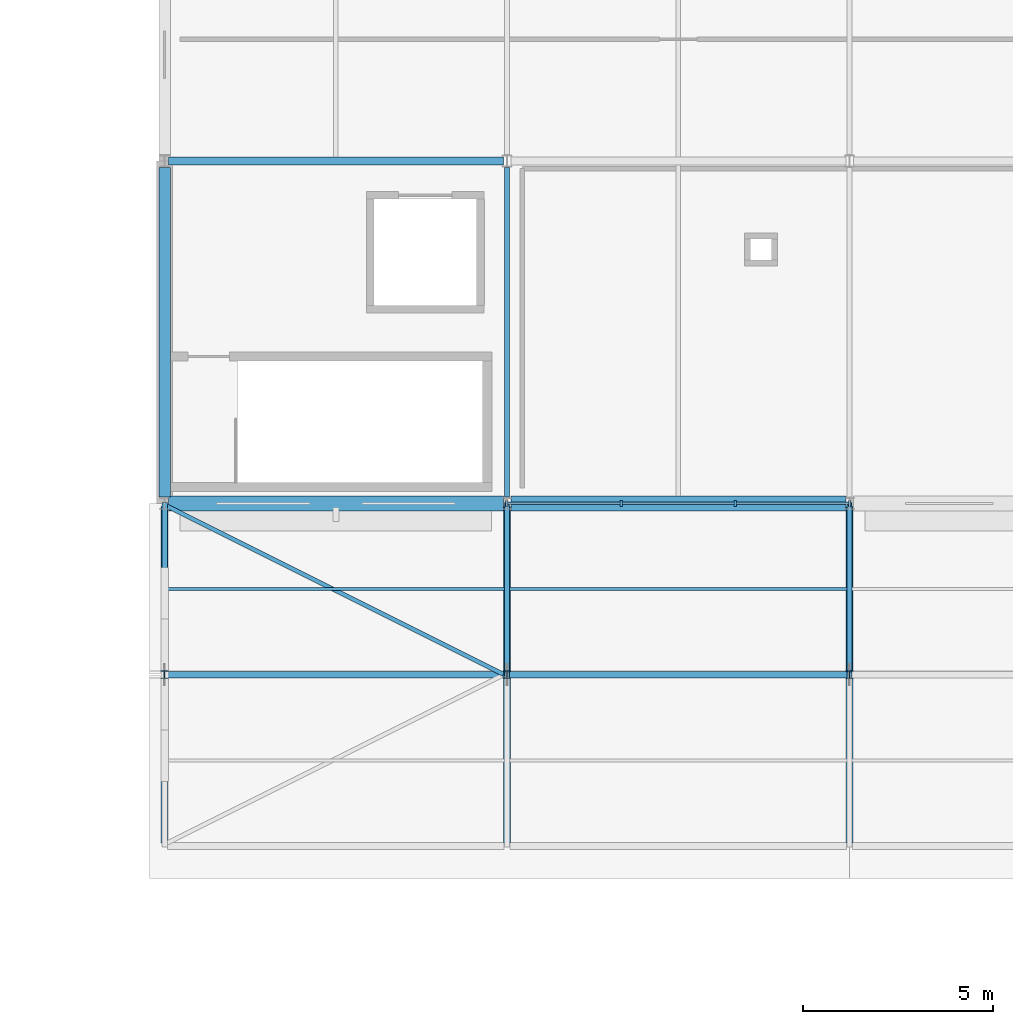
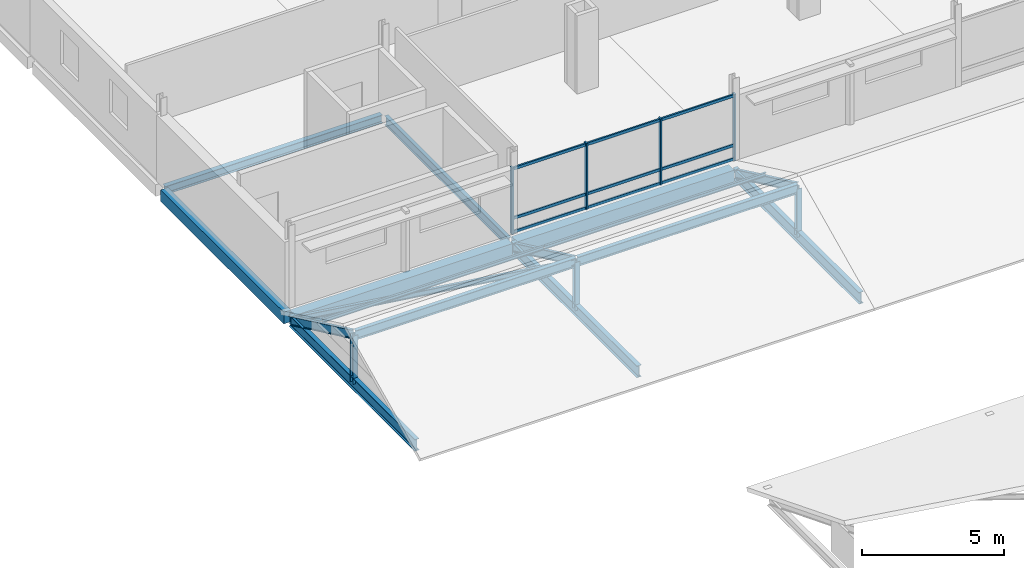
# One storey, part 71 of 132: 24 members, 8 beams, 1 element without a shape of its own.
"""IFC4 building model written with IfcOpenShell, lengths in metres."""

from ifc_helpers import new_model, si_unit, direction, frame, origin, origin_2d, place, context, subcontext, project, spatial, rectangle, i_section, extrude, material, material_profile, profile_set, type_object, element, aggregate, save


model = new_model("IFC4")

# Units and contexts
model_context = context("Model", 3, precision=1e-05, world=origin(), true_north=direction((0.0, 1.0)))
body_context = subcontext(model_context, "Body", "Model", "MODEL_VIEW")
ifc_project = project(units=[si_unit("LENGTHUNIT", "METRE"), si_unit("AREAUNIT", "SQUARE_METRE"), si_unit("VOLUMEUNIT", "CUBIC_METRE"), si_unit("PLANEANGLEUNIT", "RADIAN"), si_unit("MASSUNIT", "GRAM", prefix="KILO")], contexts=[model_context])

# Site, building, storey
site_placement = place(None, origin())
site = spatial("IfcSite", under=ifc_project, at=site_placement, CompositionType="ELEMENT")
building_placement = place(site_placement, origin())
building = spatial("IfcBuilding", under=site, at=building_placement, Name="Tharagai Park Tramway Depot", CompositionType="ELEMENT")
storey_placement = place(building_placement, frame((0.0, 0.0, 4.800048828125)))
storey = spatial("IfcBuildingStorey", under=building, at=storey_placement, Name="L01", CompositionType="ELEMENT", Elevation=4.800048828125)

# Beams
ifc_material_1 = material(Name="Steel E350", Category="steel")
ifc_material_profile_1 = material_profile(ifc_material_1, i_section(OverallWidth=0.139892578125, OverallDepth=0.39990234375, WebThickness=0.0087890625, FlangeThickness=0.01611328125, FilletRadius=0.013916015625, at=origin_2d()), Name="ISMB 400")
ifc_profile_set_1 = profile_set([ifc_material_profile_1], Name="Steel E350")
beam_type_1 = type_object("IfcBeamType", Name="BM-06", PredefinedType="BEAM", material=ifc_profile_set_1)
beam_1_placement = place(storey_placement, frame((171.0, 99.175048828125, -0.47998046875), z_axis=(0.0, 1.0, 0.0), x_axis=(-1.0, 0.0, 0.0)))
element("IfcBeam", 1, at=beam_1_placement, inside=storey, type_object=beam_type_1, Name="L01 Grid Beam BM-06", PredefinedType="BEAM", context=body_context, shape_type="SweptSolid", body=[
    extrude(i_section(OverallWidth=0.139892578125, OverallDepth=0.39990234375, WebThickness=0.0087890625, FlangeThickness=0.01611328125, FilletRadius=0.013916015625, at=origin_2d()), origin(), (0.0, 0.0, 1.0), 8.64990234375),
])
ifc_material_profile_2 = material_profile(ifc_material_1, i_section(OverallWidth=0.199951171875, OverallDepth=0.35009765625, WebThickness=0.008056640625, FlangeThickness=0.011474609375, FilletRadius=0.011962890625, at=origin_2d()), Name="ISWB 350")
ifc_profile_set_2 = profile_set([ifc_material_profile_2], Name="Steel E350")
beam_type_2 = type_object("IfcBeamType", Name="BM-15", PredefinedType="BEAM", material=ifc_profile_set_2)
beam_2_placement = place(storey_placement, frame((162.10009765625, 108.0, -0.455078125), z_axis=(1.0, 0.0, 0.0), x_axis=(0.0, 1.0, 0.0)))
element("IfcBeam", 2, at=beam_2_placement, inside=storey, type_object=beam_type_2, Name="L01 Grid Beam BM-15", PredefinedType="BEAM", context=body_context, shape_type="SweptSolid", body=[
    extrude(i_section(OverallWidth=0.199951171875, OverallDepth=0.35009765625, WebThickness=0.008056640625, FlangeThickness=0.011474609375, FilletRadius=0.011962890625, at=origin_2d()), origin(), (0.0, 0.0, 1.0), 8.7998046875),
])
ifc_material_profile_3 = material_profile(ifc_material_1, i_section(OverallWidth=0.179931640625, OverallDepth=0.5, WebThickness=0.01025390625, FlangeThickness=0.01708984375, FilletRadius=0.01708984375, at=origin_2d()), Name="ISMB 500")
ifc_profile_set_3 = profile_set([ifc_material_profile_3], Name="Steel E350")
beam_type_3 = type_object("IfcBeamType", Name="BM-18", PredefinedType="BEAM", material=ifc_profile_set_3)
for number, where, z_axis, x_axis, name in (
    (3, (162.0, 90.080078125, -0.5), (0.0, 1.0, 0.0), (-1.0, 0.0, 0.0), "V3A Gable Tie Girder BM-18"),
    (4, (171.0, 90.080078125, -0.5), (0.0, 1.0, 0.0), (-1.0, 0.0, 0.0), "V3A Gable Tie Girder BM-18"),
    (5, (180.0, 90.080078125, -0.5), (0.0, 1.0, 0.0), (-1.0, 0.0, 0.0), "V3A Gable Tie Girder BM-18"),
):
    element("IfcBeam", number, at=place(storey_placement, frame(where, z_axis=z_axis, x_axis=x_axis)), inside=storey, type_object=beam_type_3, Name=name, PredefinedType="BEAM", context=body_context, shape_type="SweptSolid", body=[
        extrude(i_section(OverallWidth=0.179931640625, OverallDepth=0.5, WebThickness=0.01025390625, FlangeThickness=0.01708984375, FilletRadius=0.01708984375, at=origin_2d()), origin(), (0.0, 0.0, 1.0), 8.83984375),
    ])

# Members
ifc_material_profile_4 = material_profile(ifc_material_1, i_section(OverallWidth=0.110107421875, OverallDepth=0.22509765625, WebThickness=0.006591796875, FlangeThickness=0.01171875, FilletRadius=0.011962890625, at=origin_2d()), Name="ISMB 225")
ifc_profile_set_4 = profile_set([ifc_material_profile_4], Name="Steel E350")
member_type_1 = type_object("IfcMemberType", Name="BR-04", PredefinedType="BRACE", material=ifc_profile_set_4)
member_1_placement = place(storey_placement, frame((162.080078125, 98.919921875, -0.5), z_axis=(0.875948084723, -0.437974042362, 0.202221885777), x_axis=(0.4472135955, 0.894427191, 0.0)))
element("IfcMember", 6, at=member_1_placement, inside=storey, type_object=member_type_1, Name="V3A Roof Wind Brace BR-04", PredefinedType="BRACE", context=body_context, shape_type="SweptSolid", body=[
    extrude(i_section(OverallWidth=0.110107421875, OverallDepth=0.22509765625, WebThickness=0.006591796875, FlangeThickness=0.01171875, FilletRadius=0.011962890625, at=origin_2d()), origin(), (0.0, 0.0, 1.0), 10.091796875),
])
ifc_material_profile_5 = material_profile(ifc_material_1, i_section(OverallWidth=0.199951171875, OverallDepth=0.199951171875, WebThickness=0.0078125, FlangeThickness=0.009033203125, FilletRadius=0.009033203125, at=origin_2d()), Name="ISHB 200")
ifc_profile_set_5 = profile_set([ifc_material_profile_5], Name="Steel E350")
member_type_2 = type_object("IfcMemberType", Name="BR-10", PredefinedType="BRACE", material=ifc_profile_set_5)
for number, where, z_axis, x_axis, name in (
    (7, (162.0, 94.5, -0.5), (0.0, 0.0, 1.0), (1.0, 0.0, 0.0), "V3A Gable King Strut BR-10"),
    (8, (171.0, 94.5, -0.5), (0.0, 0.0, 1.0), (1.0, 0.0, 0.0), "V3A Gable King Strut BR-10"),
    (9, (180.0, 94.5, -0.5), (0.0, 0.0, 1.0), (1.0, 0.0, 0.0), "V3A Gable King Strut BR-10"),
):
    element("IfcMember", number, at=place(storey_placement, frame(where, z_axis=z_axis, x_axis=x_axis)), inside=storey, type_object=member_type_2, Name=name, PredefinedType="BRACE", context=body_context, shape_type="SweptSolid", body=[
        extrude(i_section(OverallWidth=0.199951171875, OverallDepth=0.199951171875, WebThickness=0.0078125, FlangeThickness=0.009033203125, FilletRadius=0.009033203125, at=origin_2d()), origin(), (0.0, 0.0, 1.0), 2.065673828125),
    ])

# Curtain wall, members
ifc_material_2 = material(Name="Anodised aluminium", Category="aluminium")
curtain_wall_type = type_object("IfcCurtainWallType", Name="CW-01", PredefinedType="NOTDEFINED", material=ifc_material_2)
curtain_wall_placement = place(storey_placement, origin())
curtain_wall = element("IfcCurtainWall", 10, at=curtain_wall_placement, inside=storey, type_object=curtain_wall_type, Name="L01 V3 Gothic Mullioned Curtain Wall CW-01", PredefinedType="NOTDEFINED")
ifc_material_profile_6 = material_profile(ifc_material_2, rectangle(XDim=0.06494140625, YDim=0.1201171875, at=origin_2d()), Name="ALU 65x120")
ifc_profile_set_6 = profile_set([ifc_material_profile_6], Name="Anodised aluminium")
member_type_3 = type_object("IfcMemberType", Name="CM-01", PredefinedType="USERDEFINED", material=ifc_profile_set_6)
member_2_placement = place(storey_placement, frame((171.010986328125, 99.0, 0.06005859375), z_axis=(1.0, 0.0, 0.0), x_axis=(0.0, 1.0, 0.0)))
member_2 = element("IfcMember", 11, at=member_2_placement, type_object=member_type_3, Name="L01 V3 Gothic Mullioned Curtain Wall Transom 1.1", ObjectType="TRANSOM", PredefinedType="USERDEFINED", context=body_context, shape_type="SweptSolid", body=[
    extrude(rectangle(XDim=0.06494140625, YDim=0.1201171875, at=origin_2d()), origin(), (0.0, 0.0, 1.0), 2.97265625),
])
member_3_placement = place(storey_placement, frame((171.010986328125, 99.0, 0.64990234375), z_axis=(1.0, 0.0, 0.0), x_axis=(0.0, 1.0, 0.0)))
member_3 = element("IfcMember", 12, at=member_3_placement, type_object=member_type_3, Name="L01 V3 Gothic Mullioned Curtain Wall Transom 1.2", ObjectType="TRANSOM", PredefinedType="USERDEFINED", context=body_context, shape_type="SweptSolid", body=[
    extrude(rectangle(XDim=0.06494140625, YDim=0.1201171875, at=origin_2d()), origin(), (0.0, 0.0, 1.0), 2.97265625),
])
member_4_placement = place(storey_placement, frame((171.010986328125, 99.0, 2.77001953125), z_axis=(1.0, 0.0, 0.0), x_axis=(0.0, 1.0, 0.0)))
member_4 = element("IfcMember", 13, at=member_4_placement, type_object=member_type_3, Name="L01 V3 Gothic Mullioned Curtain Wall Transom 1.3", ObjectType="TRANSOM", PredefinedType="USERDEFINED", context=body_context, shape_type="SweptSolid", body=[
    extrude(rectangle(XDim=0.06494140625, YDim=0.1201171875, at=origin_2d()), origin(), (0.0, 0.0, 1.0), 2.97265625),
])
member_5_placement = place(storey_placement, frame((174.013671875, 99.0, 0.06005859375), z_axis=(1.0, 0.0, 0.0), x_axis=(0.0, 1.0, 0.0)))
member_5 = element("IfcMember", 14, at=member_5_placement, type_object=member_type_3, Name="L01 V3 Gothic Mullioned Curtain Wall Transom 2.1", ObjectType="TRANSOM", PredefinedType="USERDEFINED", context=body_context, shape_type="SweptSolid", body=[
    extrude(rectangle(XDim=0.06494140625, YDim=0.1201171875, at=origin_2d()), origin(), (0.0, 0.0, 1.0), 2.97265625),
])
member_6_placement = place(storey_placement, frame((174.013671875, 99.0, 0.64990234375), z_axis=(1.0, 0.0, 0.0), x_axis=(0.0, 1.0, 0.0)))
member_6 = element("IfcMember", 15, at=member_6_placement, type_object=member_type_3, Name="L01 V3 Gothic Mullioned Curtain Wall Transom 2.2", ObjectType="TRANSOM", PredefinedType="USERDEFINED", context=body_context, shape_type="SweptSolid", body=[
    extrude(rectangle(XDim=0.06494140625, YDim=0.1201171875, at=origin_2d()), origin(), (0.0, 0.0, 1.0), 2.97265625),
])
member_7_placement = place(storey_placement, frame((174.013671875, 99.0, 2.77001953125), z_axis=(1.0, 0.0, 0.0), x_axis=(0.0, 1.0, 0.0)))
member_7 = element("IfcMember", 16, at=member_7_placement, type_object=member_type_3, Name="L01 V3 Gothic Mullioned Curtain Wall Transom 2.3", ObjectType="TRANSOM", PredefinedType="USERDEFINED", context=body_context, shape_type="SweptSolid", body=[
    extrude(rectangle(XDim=0.06494140625, YDim=0.1201171875, at=origin_2d()), origin(), (0.0, 0.0, 1.0), 2.97265625),
])
member_8_placement = place(storey_placement, frame((177.016357421875, 99.0, 0.06005859375), z_axis=(1.0, 0.0, 0.0), x_axis=(0.0, 1.0, 0.0)))
member_8 = element("IfcMember", 17, at=member_8_placement, type_object=member_type_3, Name="L01 V3 Gothic Mullioned Curtain Wall Transom 3.1", ObjectType="TRANSOM", PredefinedType="USERDEFINED", context=body_context, shape_type="SweptSolid", body=[
    extrude(rectangle(XDim=0.06494140625, YDim=0.1201171875, at=origin_2d()), origin(), (0.0, 0.0, 1.0), 2.97265625),
])
member_9_placement = place(storey_placement, frame((177.016357421875, 99.0, 0.64990234375), z_axis=(1.0, 0.0, 0.0), x_axis=(0.0, 1.0, 0.0)))
member_9 = element("IfcMember", 18, at=member_9_placement, type_object=member_type_3, Name="L01 V3 Gothic Mullioned Curtain Wall Transom 3.2", ObjectType="TRANSOM", PredefinedType="USERDEFINED", context=body_context, shape_type="SweptSolid", body=[
    extrude(rectangle(XDim=0.06494140625, YDim=0.1201171875, at=origin_2d()), origin(), (0.0, 0.0, 1.0), 2.97265625),
])
member_10_placement = place(storey_placement, frame((177.016357421875, 99.0, 2.77001953125), z_axis=(1.0, 0.0, 0.0), x_axis=(0.0, 1.0, 0.0)))
member_10 = element("IfcMember", 19, at=member_10_placement, type_object=member_type_3, Name="L01 V3 Gothic Mullioned Curtain Wall Transom 3.3", ObjectType="TRANSOM", PredefinedType="USERDEFINED", context=body_context, shape_type="SweptSolid", body=[
    extrude(rectangle(XDim=0.06494140625, YDim=0.1201171875, at=origin_2d()), origin(), (0.0, 0.0, 1.0), 2.97265625),
])
ifc_material_profile_7 = material_profile(ifc_material_2, rectangle(XDim=0.06494140625, YDim=0.14990234375, at=origin_2d()), Name="ALU 65x150")
ifc_profile_set_7 = profile_set([ifc_material_profile_7], Name="Anodised aluminium")
member_type_4 = type_object("IfcMemberType", Name="CM-03", PredefinedType="MULLION", material=ifc_profile_set_7)
member_11_placement = place(storey_placement, frame((170.99609375, 99.0, -0.005126953125), z_axis=(0.0, 0.0, 1.0), x_axis=(1.0, 0.0, 0.0)))
member_11 = element("IfcMember", 20, at=member_11_placement, type_object=member_type_4, Name="L01 V3 Gothic Mullioned Curtain Wall Mullion 1", PredefinedType="MULLION", context=body_context, shape_type="SweptSolid", body=[
    extrude(rectangle(XDim=0.06494140625, YDim=0.14990234375, at=origin_2d()), origin(), (0.0, 0.0, 1.0), 2.860107421875),
])
member_12_placement = place(storey_placement, frame((173.998779296875, 99.0, -0.005126953125), z_axis=(0.0, 0.0, 1.0), x_axis=(1.0, 0.0, 0.0)))
member_12 = element("IfcMember", 21, at=member_12_placement, type_object=member_type_4, Name="L01 V3 Gothic Mullioned Curtain Wall Mullion 2", PredefinedType="MULLION", context=body_context, shape_type="SweptSolid", body=[
    extrude(rectangle(XDim=0.06494140625, YDim=0.14990234375, at=origin_2d()), origin(), (0.0, 0.0, 1.0), 2.860107421875),
])
member_13_placement = place(storey_placement, frame((177.001220703125, 99.0, -0.005126953125), z_axis=(0.0, 0.0, 1.0), x_axis=(1.0, 0.0, 0.0)))
member_13 = element("IfcMember", 22, at=member_13_placement, type_object=member_type_4, Name="L01 V3 Gothic Mullioned Curtain Wall Mullion 3", PredefinedType="MULLION", context=body_context, shape_type="SweptSolid", body=[
    extrude(rectangle(XDim=0.06494140625, YDim=0.14990234375, at=origin_2d()), origin(), (0.0, 0.0, 1.0), 2.860107421875),
])
member_14_placement = place(storey_placement, frame((180.00390625, 99.0, -0.005126953125), z_axis=(0.0, 0.0, 1.0), x_axis=(1.0, 0.0, 0.0)))
member_14 = element("IfcMember", 23, at=member_14_placement, type_object=member_type_4, Name="L01 V3 Gothic Mullioned Curtain Wall Mullion 4", PredefinedType="MULLION", context=body_context, shape_type="SweptSolid", body=[
    extrude(rectangle(XDim=0.06494140625, YDim=0.14990234375, at=origin_2d()), origin(), (0.0, 0.0, 1.0), 2.860107421875),
])
aggregate(curtain_wall, [member_11, member_12, member_13, member_14, member_2, member_3, member_4, member_5, member_6, member_7, member_8, member_9, member_10])

# Members
ifc_material_3 = material(Name="Steel E250", Category="steel")
ifc_material_profile_8 = material_profile(ifc_material_3, i_section(OverallWidth=0.080078125, OverallDepth=0.14990234375, WebThickness=0.0048828125, FlangeThickness=0.007568359375, FilletRadius=0.009033203125, at=origin_2d()), Name="ISMB 150")
ifc_profile_set_8 = profile_set([ifc_material_profile_8], Name="Steel E250")
member_type_5 = type_object("IfcMemberType", Name="PR-05", PredefinedType="PURLIN", material=ifc_profile_set_8)
for number, where, z_axis, x_axis, name in (
    (24, (162.02001953125, 96.75, 0.771484375), (1.0, 0.0, 0.0), (0.0, 1.0, 0.0), "V3A Roof Purlin PR-05"),
    (25, (171.02001953125, 96.75, 0.771484375), (1.0, 0.0, 0.0), (0.0, 1.0, 0.0), "V3A Roof Purlin PR-05"),
):
    element("IfcMember", number, at=place(storey_placement, frame(where, z_axis=z_axis, x_axis=x_axis)), inside=storey, type_object=member_type_5, Name=name, PredefinedType="PURLIN", context=body_context, shape_type="SweptSolid", body=[
        extrude(i_section(OverallWidth=0.080078125, OverallDepth=0.14990234375, WebThickness=0.0048828125, FlangeThickness=0.007568359375, FilletRadius=0.009033203125, at=origin_2d()), origin(), (0.0, 0.0, 1.0), 8.9599609375),
    ])
ifc_material_profile_9 = material_profile(ifc_material_1, i_section(OverallWidth=0.139892578125, OverallDepth=0.35009765625, WebThickness=0.008056640625, FlangeThickness=0.01416015625, FilletRadius=0.013916015625, at=origin_2d()), Name="ISMB 350")
ifc_profile_set_9 = profile_set([ifc_material_profile_9], Name="Steel E350")
member_type_6 = type_object("IfcMemberType", Name="RF-01", PredefinedType="RAFTER", material=ifc_profile_set_9)
for number, where, z_axis, x_axis, name in (
    (26, (162.0, 94.5, 1.565673828125), (0.0, 0.904482163098, -0.426511449598), (-1.0, 0.0, 0.0), "V3A Pitched Rafter RF-01 North"),
    (27, (171.0, 94.5, 1.565673828125), (0.0, 0.904482163098, -0.426511449598), (-1.0, 0.0, 0.0), "V3A Pitched Rafter RF-01 North"),
    (28, (180.0, 94.5, 1.565673828125), (0.0, 0.904482163098, -0.426511449598), (-1.0, 0.0, 0.0), "V3A Pitched Rafter RF-01 North"),
):
    element("IfcMember", number, at=place(storey_placement, frame(where, z_axis=z_axis, x_axis=x_axis)), inside=storey, type_object=member_type_6, Name=name, PredefinedType="RAFTER", context=body_context, shape_type="SweptSolid", body=[
        extrude(i_section(OverallWidth=0.139892578125, OverallDepth=0.35009765625, WebThickness=0.008056640625, FlangeThickness=0.01416015625, FilletRadius=0.013916015625, at=origin_2d()), origin(), (0.0, 0.0, 1.0), 4.919921875),
    ])

# Beams
ifc_material_4 = material(Name="Concrete M35", Category="concrete")
ifc_material_profile_10 = material_profile(ifc_material_4, rectangle(XDim=0.39990234375, YDim=0.60009765625, at=origin_2d()), Name="RC 400x600")
ifc_profile_set_10 = profile_set([ifc_material_profile_10], Name="Concrete M35")
beam_type_4 = type_object("IfcBeamType", Name="SP-02", PredefinedType="SPANDREL", material=ifc_profile_set_10)
for number, where, z_axis, x_axis, name in (
    (29, (162.10009765625, 99.0, -0.580078125), (1.0, 0.0, 0.0), (0.0, 1.0, 0.0), "L01 Grid Beam SP-02"),
    (30, (171.10009765625, 99.0, -0.580078125), (1.0, 0.0, 0.0), (0.0, 1.0, 0.0), "L01 Grid Beam SP-02"),
):
    element("IfcBeam", number, at=place(storey_placement, frame(where, z_axis=z_axis, x_axis=x_axis)), inside=storey, type_object=beam_type_4, Name=name, PredefinedType="SPANDREL", context=body_context, shape_type="SweptSolid", body=[
        extrude(rectangle(XDim=0.39990234375, YDim=0.60009765625, at=origin_2d()), origin(), (0.0, 0.0, 1.0), 8.7998046875),
    ])
ifc_material_profile_11 = material_profile(ifc_material_4, rectangle(XDim=0.300048828125, YDim=0.5, at=origin_2d()), Name="RC 300x500")
ifc_profile_set_11 = profile_set([ifc_material_profile_11], Name="Concrete M35")
beam_type_5 = type_object("IfcBeamType", Name="SP-03", PredefinedType="SPANDREL", material=ifc_profile_set_11)
beam_3_placement = place(storey_placement, frame((162.0, 99.175048828125, -0.530029296875), z_axis=(0.0, 1.0, 0.0), x_axis=(-1.0, 0.0, 0.0)))
element("IfcBeam", 31, at=beam_3_placement, inside=storey, type_object=beam_type_5, Name="L01 Grid Beam SP-03", PredefinedType="SPANDREL", context=body_context, shape_type="SweptSolid", body=[
    extrude(rectangle(XDim=0.300048828125, YDim=0.5, at=origin_2d()), origin(), (0.0, 0.0, 1.0), 8.64990234375),
])

# Members
ifc_material_profile_12 = material_profile(ifc_material_1, i_section(OverallWidth=0.1650390625, OverallDepth=0.39990234375, WebThickness=0.008056640625, FlangeThickness=0.012451171875, FilletRadius=0.013916015625, at=origin_2d()), Name="ISLB 400")
ifc_profile_set_12 = profile_set([ifc_material_profile_12], Name="Steel E350")
member_type_7 = type_object("IfcMemberType", Name="TC-04", PredefinedType="CHORD", material=ifc_profile_set_12)
for number, where, z_axis, x_axis, name in (
    (32, (162.0400390625, 94.5, 1.540771484375), (1.0, 0.0, 0.0), (0.0, 1.0, 0.0), "V3A Roof Ridge Chord TC-04"),
    (33, (171.0400390625, 94.5, 1.540771484375), (1.0, 0.0, 0.0), (0.0, 1.0, 0.0), "V3A Roof Ridge Chord TC-04"),
):
    element("IfcMember", number, at=place(storey_placement, frame(where, z_axis=z_axis, x_axis=x_axis)), inside=storey, type_object=member_type_7, Name=name, PredefinedType="CHORD", context=body_context, shape_type="SweptSolid", body=[
        extrude(i_section(OverallWidth=0.1650390625, OverallDepth=0.39990234375, WebThickness=0.008056640625, FlangeThickness=0.012451171875, FilletRadius=0.013916015625, at=origin_2d()), origin(), (0.0, 0.0, 1.0), 8.919921875),
    ])

save(model, "model.ifc")
